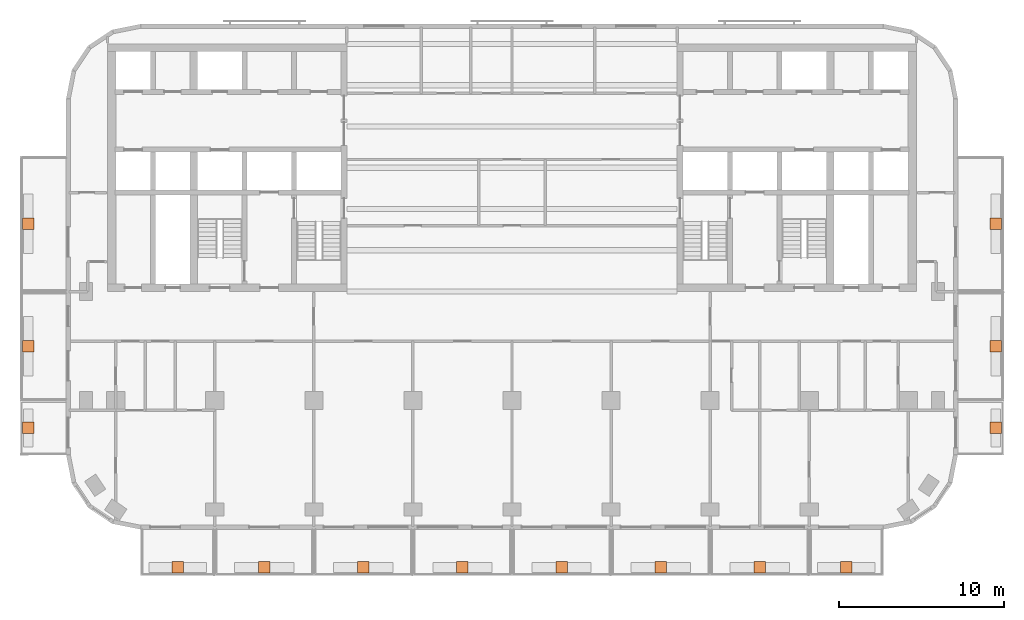
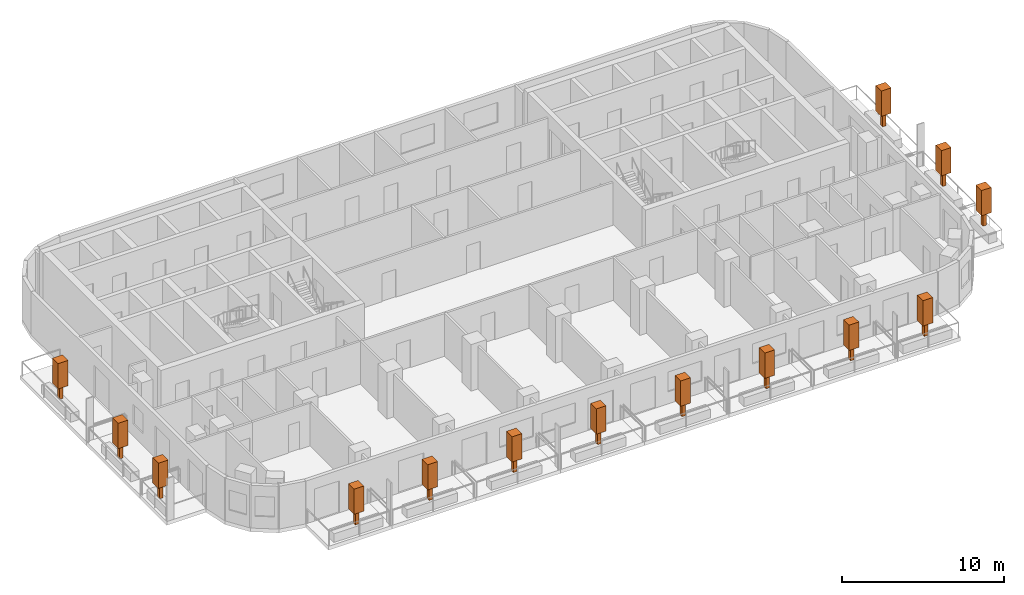
# One storey, part 11 of 11: 14 geographic elements.
"""IFC4 building model written with IfcOpenShell, lengths in metres."""

from ifc_helpers import new_model, si_unit, direction, frame, origin, origin_2d, place, context, subcontext, project, spatial, rectangle, extrude, material, element, save


model = new_model("IFC4")

# Units and contexts
model_context = context("Model", 3, precision=1e-05, world=origin(), true_north=direction((0.0, 1.0)))
body_context = subcontext(model_context, "Body", "Model", "MODEL_VIEW")
ifc_project = project(units=[si_unit("LENGTHUNIT", "METRE"), si_unit("AREAUNIT", "SQUARE_METRE"), si_unit("VOLUMEUNIT", "CUBIC_METRE"), si_unit("PLANEANGLEUNIT", "RADIAN"), si_unit("MASSUNIT", "GRAM", prefix="KILO")], contexts=[model_context])

# Site, building, storey
site_placement = place(None, origin())
site = spatial("IfcSite", under=ifc_project, at=site_placement, CompositionType="ELEMENT")
building_placement = place(site_placement, origin())
building = spatial("IfcBuilding", under=site, at=building_placement, Name="Torana Hotel and Residences", CompositionType="ELEMENT")
storey_placement = place(building_placement, frame((0.0, 0.0, 194.10009765625)))
storey = spatial("IfcBuildingStorey", under=building, at=storey_placement, Name="L50", CompositionType="ELEMENT", Elevation=194.10009765625)

# Geographic elements
ifc_material = material(Name="Foliage", Category="planting")
for number, where, z_axis, x_axis, name in (
    (1, (-20.25, -31.699951171875, 0.64990234375), (0.0, 0.0, 1.0), (1.0, 0.0, 0.0), "Tree 01"),
    (2, (-15.0, -31.699951171875, 0.64990234375), (0.0, 0.0, 1.0), (1.0, 0.0, 0.0), "Tree 02"),
    (3, (-9.0, -31.699951171875, 0.64990234375), (0.0, 0.0, 1.0), (1.0, 0.0, 0.0), "Tree 03"),
    (4, (-3.0, -31.699951171875, 0.64990234375), (0.0, 0.0, 1.0), (1.0, 0.0, 0.0), "Tree 04"),
    (5, (3.0, -31.699951171875, 0.64990234375), (0.0, 0.0, 1.0), (1.0, 0.0, 0.0), "Tree 05"),
    (6, (9.0, -31.699951171875, 0.64990234375), (0.0, 0.0, 1.0), (1.0, 0.0, 0.0), "Tree 06"),
    (7, (15.0, -31.699951171875, 0.64990234375), (0.0, 0.0, 1.0), (1.0, 0.0, 0.0), "Tree 07"),
    (8, (20.25, -31.699951171875, 0.64990234375), (0.0, 0.0, 1.0), (1.0, 0.0, 0.0), "Tree 08"),
    (9, (-29.300048828125, -23.25, 0.64990234375), (0.0, 0.0, 1.0), (1.0, 0.0, 0.0), "Tree 09"),
    (10, (-29.300048828125, -18.300048828125, 0.64990234375), (0.0, 0.0, 1.0), (1.0, 0.0, 0.0), "Tree 10"),
    (11, (-29.300048828125, -10.89990234375, 0.64990234375), (0.0, 0.0, 1.0), (1.0, 0.0, 0.0), "Tree 11"),
    (12, (29.300048828125, -23.25, 0.64990234375), (0.0, 0.0, 1.0), (1.0, 0.0, 0.0), "Tree 12"),
    (13, (29.300048828125, -18.300048828125, 0.64990234375), (0.0, 0.0, 1.0), (1.0, 0.0, 0.0), "Tree 13"),
    (14, (29.300048828125, -10.89990234375, 0.64990234375), (0.0, 0.0, 1.0), (1.0, 0.0, 0.0), "Tree 14"),
):
    element("IfcGeographicElement", number, at=place(storey_placement, frame(where, z_axis=z_axis, x_axis=x_axis)), inside=storey, material=ifc_material, Name=name, ObjectType="TREE", PredefinedType="USERDEFINED", context=body_context, shape_type="SweptSolid", body=[
        extrude(rectangle(XDim=0.25, YDim=0.25, at=origin_2d()), origin(), (0.0, 0.0, 1.0), 1.0),
        extrude(rectangle(XDim=0.699951171875, YDim=0.699951171875, at=origin_2d()), frame((0.0, 0.0, 1.0)), (0.0, 0.0, 1.0), 1.89990234375),
    ])

save(model, "model.ifc")
